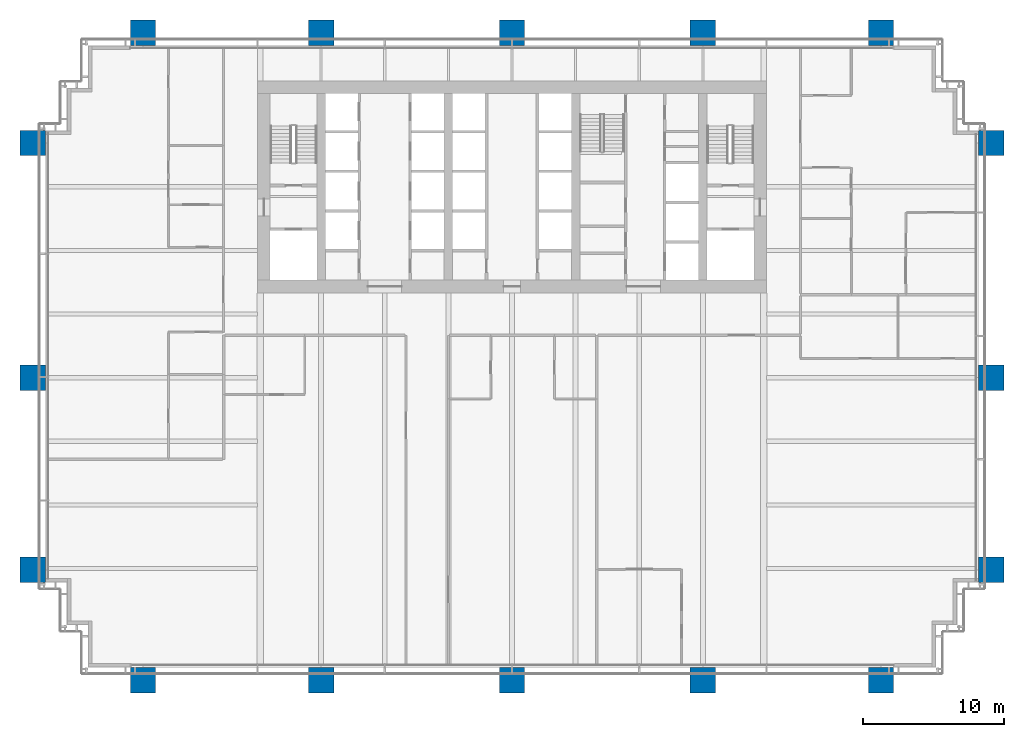
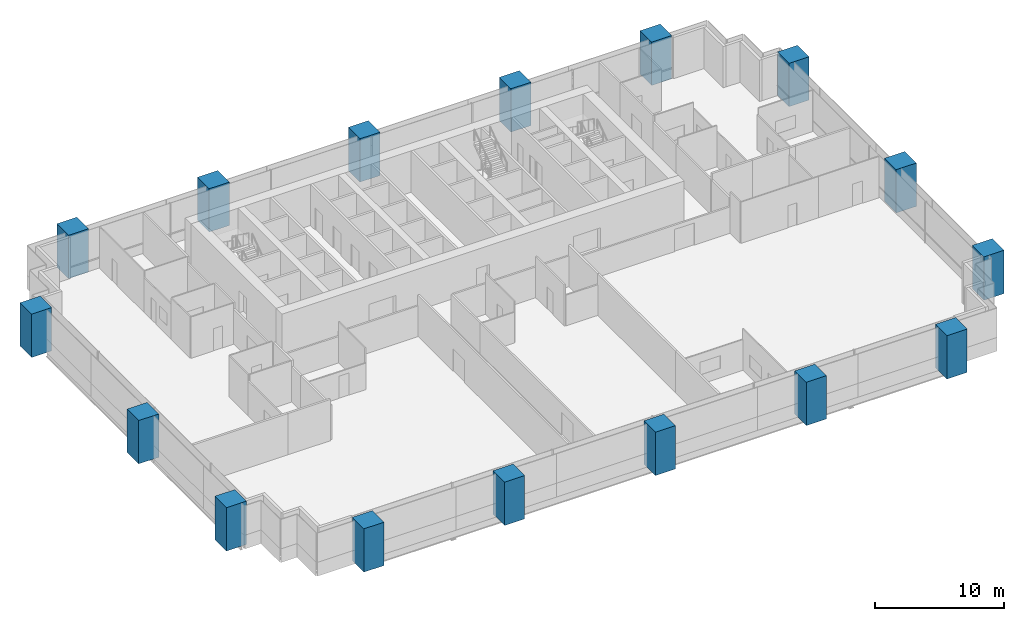
# One storey, part 1 of 19: 16 columns.
"""IFC4 building model written with IfcOpenShell, lengths in metres."""

from ifc_helpers import new_model, si_unit, direction, frame, origin, origin_2d, place, context, subcontext, project, spatial, rectangle, extrude, material, material_profile, profile_set, type_object, element, save


model = new_model("IFC4")

# Units and contexts
model_context = context("Model", 3, precision=1e-05, world=origin(), true_north=direction((0.0, 1.0)))
body_context = subcontext(model_context, "Body", "Model", "MODEL_VIEW")
ifc_project = project(units=[si_unit("LENGTHUNIT", "METRE"), si_unit("AREAUNIT", "SQUARE_METRE"), si_unit("VOLUMEUNIT", "CUBIC_METRE"), si_unit("PLANEANGLEUNIT", "RADIAN"), si_unit("MASSUNIT", "GRAM", prefix="KILO")], contexts=[model_context])

# Site, building, storey
site_placement = place(None, origin())
site = spatial("IfcSite", under=ifc_project, at=site_placement, CompositionType="ELEMENT")
building_placement = place(site_placement, origin())
building = spatial("IfcBuilding", under=site, at=building_placement, Name="Rattan Terrace Tower", CompositionType="ELEMENT")
storey_placement = place(building_placement, frame((0.0, 0.0, 52.89990234375)))
storey = spatial("IfcBuildingStorey", under=building, at=storey_placement, Name="L11", CompositionType="ELEMENT", Elevation=52.89990234375)

# Columns
ifc_material = material(Name="Concrete C60/75", Category="concrete")
ifc_material_profile = material_profile(ifc_material, rectangle(XDim=1.800048828125, YDim=1.800048828125, at=origin_2d()), Name="CFT 1800x1800")
ifc_profile_set = profile_set([ifc_material_profile], Name="Concrete C60/75")
column_type = type_object("IfcColumnType", Name="Frame exoskeleton column CFT 1800x1800", PredefinedType="COLUMN", material=ifc_profile_set)
for number, where, z_axis, x_axis, name in (
    (1, (-26.10009765625, -34.89990234375, -0.199951171875), (0.0, 0.0, 1.0), (1.0, 0.0, 0.0), "exo-L11-001"),
    (2, (-13.5, -34.89990234375, -0.199951171875), (0.0, 0.0, 1.0), (1.0, 0.0, 0.0), "exo-L11-002"),
    (3, (0.0, -34.89990234375, -0.199951171875), (0.0, 0.0, 1.0), (1.0, 0.0, 0.0), "exo-L11-003"),
    (4, (13.5, -34.89990234375, -0.199951171875), (0.0, 0.0, 1.0), (1.0, 0.0, 0.0), "exo-L11-004"),
    (5, (26.10009765625, -34.89990234375, -0.199951171875), (0.0, 0.0, 1.0), (1.0, 0.0, 0.0), "exo-L11-005"),
    (6, (-33.89990234375, -27.10009765625, -0.199951171875), (0.0, 0.0, 1.0), (0.0, 1.0, 0.0), "exo-L11-006"),
    (7, (33.89990234375, -27.10009765625, -0.199951171875), (0.0, 0.0, 1.0), (0.0, 1.0, 0.0), "exo-L11-007"),
    (8, (-33.89990234375, -13.5, -0.199951171875), (0.0, 0.0, 1.0), (0.0, 1.0, 0.0), "exo-L11-008"),
    (9, (33.89990234375, -13.5, -0.199951171875), (0.0, 0.0, 1.0), (0.0, 1.0, 0.0), "exo-L11-009"),
    (10, (-33.89990234375, 3.10009765625, -0.199951171875), (0.0, 0.0, 1.0), (0.0, 1.0, 0.0), "exo-L11-010"),
    (11, (33.89990234375, 3.10009765625, -0.199951171875), (0.0, 0.0, 1.0), (0.0, 1.0, 0.0), "exo-L11-011"),
    (12, (-26.10009765625, 10.89990234375, -0.199951171875), (0.0, 0.0, 1.0), (1.0, 0.0, 0.0), "exo-L11-012"),
    (13, (-13.5, 10.89990234375, -0.199951171875), (0.0, 0.0, 1.0), (1.0, 0.0, 0.0), "exo-L11-013"),
    (14, (0.0, 10.89990234375, -0.199951171875), (0.0, 0.0, 1.0), (1.0, 0.0, 0.0), "exo-L11-014"),
    (15, (13.5, 10.89990234375, -0.199951171875), (0.0, 0.0, 1.0), (1.0, 0.0, 0.0), "exo-L11-015"),
    (16, (26.10009765625, 10.89990234375, -0.199951171875), (0.0, 0.0, 1.0), (1.0, 0.0, 0.0), "exo-L11-016"),
):
    element("IfcColumn", number, at=place(storey_placement, frame(where, z_axis=z_axis, x_axis=x_axis)), inside=storey, type_object=column_type, Name=name, PredefinedType="COLUMN", context=body_context, shape_type="SweptSolid", body=[
        extrude(rectangle(XDim=1.800048828125, YDim=1.800048828125, at=origin_2d()), origin(), (0.0, 0.0, 1.0), 4.10009765625),
    ])

save(model, "model.ifc")
